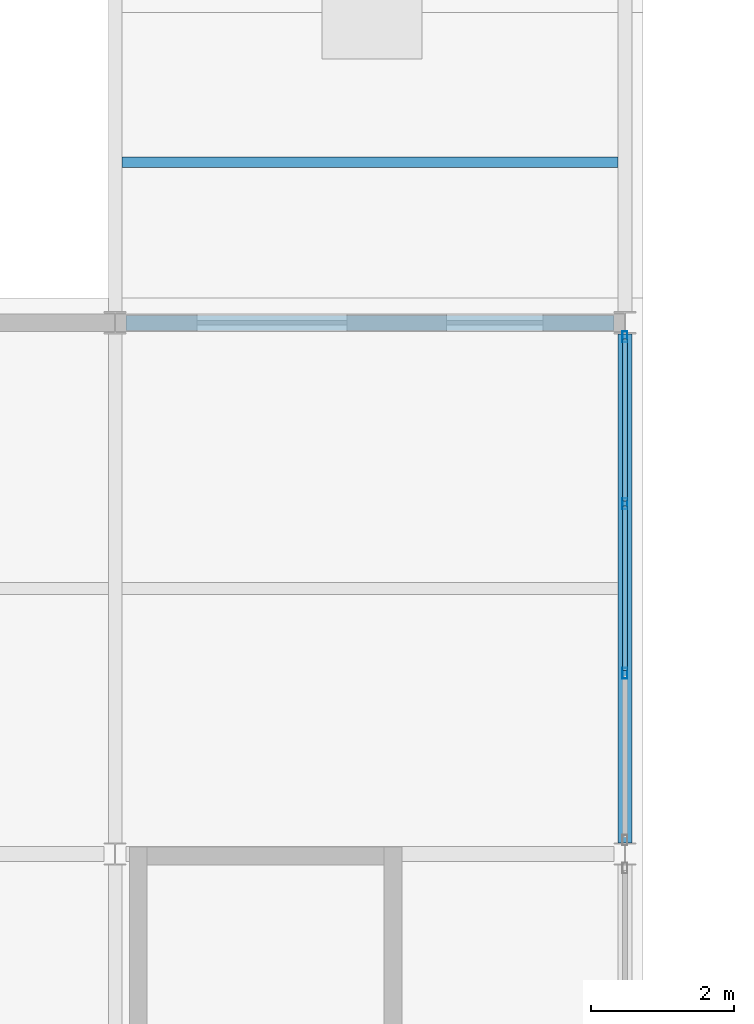
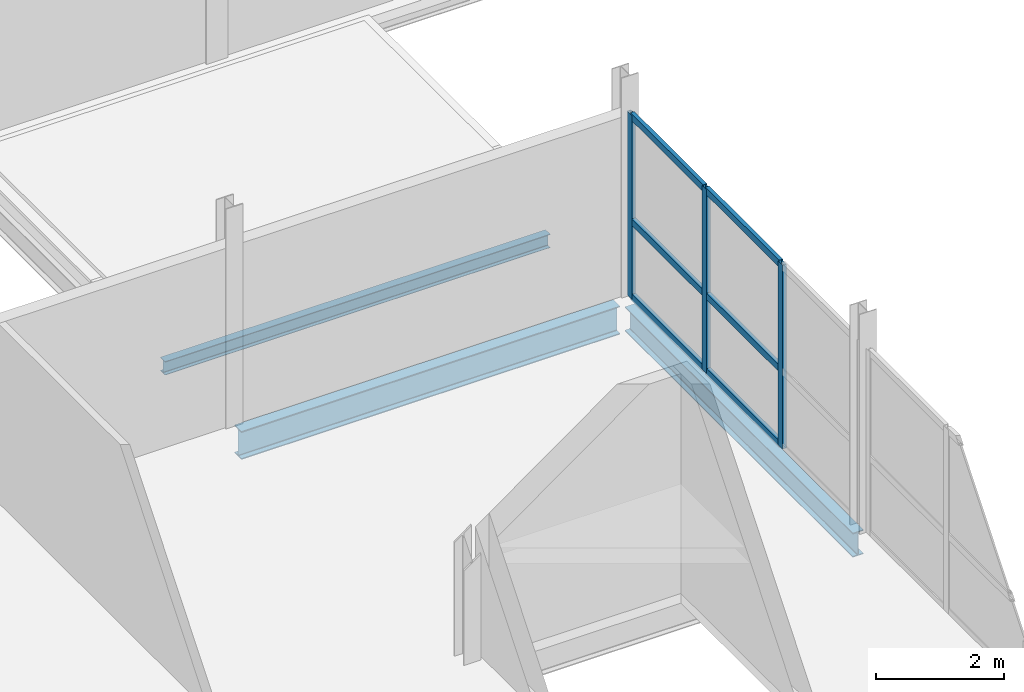
# One storey, part 13 of 65: 9 members, 3 beams, 1 element without a shape of its own.
"""IFC4 building model written with IfcOpenShell, lengths in metres."""

from ifc_helpers import new_model, si_unit, direction, frame, origin, origin_2d, place, context, subcontext, project, spatial, hollow_rectangle, i_section, extrude, material, layer, layer_set, material_profile, profile_set, type_object, element, aggregate, save


model = new_model("IFC4")

# Units and contexts
model_context = context("Model", 3, precision=1e-05, world=origin(), true_north=direction((0.0, 1.0)))
body_context = subcontext(model_context, "Body", "Model", "MODEL_VIEW")
ifc_project = project(units=[si_unit("LENGTHUNIT", "METRE"), si_unit("AREAUNIT", "SQUARE_METRE"), si_unit("VOLUMEUNIT", "CUBIC_METRE"), si_unit("PLANEANGLEUNIT", "RADIAN"), si_unit("MASSUNIT", "GRAM", prefix="KILO")], contexts=[model_context])

# Site, building, storey
site_placement = place(None, origin())
site = spatial("IfcSite", under=ifc_project, at=site_placement, CompositionType="ELEMENT")
building_placement = place(site_placement, origin())
building = spatial("IfcBuilding", under=site, at=building_placement, Name="Quillay Park Conservatory", CompositionType="ELEMENT")
storey_placement = place(building_placement, frame((0.0, 0.0, 14.10009765625)))
storey = spatial("IfcBuildingStorey", under=building, at=storey_placement, Name="L03", CompositionType="ELEMENT", Elevation=14.10009765625)

# Beam
ifc_material_1 = material(Name="Steel ASTM A992 Grade 50", Category="steel")
ifc_material_profile_1 = material_profile(ifc_material_1, i_section(OverallWidth=0.14599609375, OverallDepth=0.258056640625, WebThickness=0.006103515625, FlangeThickness=0.009033203125, FilletRadius=0.009033203125, at=origin_2d()), Name="W250x33")
ifc_profile_set_1 = profile_set([ifc_material_profile_1], Name="Steel ASTM A992 Grade 50")
beam_type_1 = type_object("IfcBeamType", Name="COMPOSITE FLOOR JOIST W250 X33", PredefinedType="JOIST", material=ifc_profile_set_1)
beam_1_placement = place(storey_placement, frame((15.095947265625, 56.5, -0.343994140625), z_axis=(1.0, 0.0, 0.0), x_axis=(0.0, 1.0, 0.0)))
element("IfcBeam", 1, at=beam_1_placement, inside=storey, type_object=beam_type_1, Name="L03 beam BM-LB1J-1587", PredefinedType="JOIST", context=body_context, shape_type="SweptSolid", body=[
    extrude(i_section(OverallWidth=0.14599609375, OverallDepth=0.258056640625, WebThickness=0.006103515625, FlangeThickness=0.009033203125, FilletRadius=0.009033203125, at=origin_2d()), origin(), (0.0, 0.0, 1.0), 6.9580078125),
])

# Curtain wall, members
ifc_material_2 = material(Name="Thermally Broken Anodised Aluminium 6063-T6", Category="aluminium")
ifc_layer = layer(ifc_material_2, 0.1650390625)
ifc_layer_set = layer_set([ifc_layer], Name="UNITISED CURTAIN WALL PODIUM (Thermally Broken Anodised Aluminium 6063-T6)")
curtain_wall_type = type_object("IfcCurtainWallType", Name="UNITISED CURTAIN WALL PODIUM", PredefinedType="USERDEFINED", material=ifc_layer_set)
curtain_wall_placement = place(storey_placement, origin())
curtain_wall = element("IfcCurtainWall", 2, at=curtain_wall_placement, inside=storey, type_object=curtain_wall_type, Name="L03 Unitised Curtain Wall 214", ObjectType="UNITISED CURTAIN WALL", PredefinedType="USERDEFINED")
ifc_material_3 = material(Name="Thermally Broken Anodised Aluminium 6063-T6", Category="aluminium")
ifc_material_profile_2 = material_profile(ifc_material_3, hollow_rectangle(XDim=0.070068359375, YDim=0.14990234375, WallThickness=0.00341796875, at=origin_2d()), Name="AL70x150x3.5")
ifc_profile_set_2 = profile_set([ifc_material_profile_2], Name="Thermally Broken Anodised Aluminium 6063-T6")
member_type_1 = type_object("IfcMemberType", Name="CURTAIN WALL MULLION 70 X150", PredefinedType="MULLION", material=ifc_profile_set_2)
member_1_placement = place(storey_placement, frame((22.14990234375, 54.054931640625, 0.0), z_axis=(0.0, 0.0, 1.0), x_axis=(1.0, 0.0, 0.0)))
member_1 = element("IfcMember", 3, at=member_1_placement, type_object=member_type_1, Name="CW-P1 mullion 1", PredefinedType="MULLION", context=body_context, shape_type="SweptSolid", body=[
    extrude(hollow_rectangle(XDim=0.070068359375, YDim=0.14990234375, WallThickness=0.00341796875, at=origin_2d()), origin(), (0.0, 0.0, 1.0), 3.513916015625),
])
member_2_placement = place(storey_placement, frame((22.14990234375, 51.71337890625, 0.0), z_axis=(0.0, 0.0, 1.0), x_axis=(1.0, 0.0, 0.0)))
member_2 = element("IfcMember", 4, at=member_2_placement, type_object=member_type_1, Name="CW-P1 mullion 2", PredefinedType="MULLION", context=body_context, shape_type="SweptSolid", body=[
    extrude(hollow_rectangle(XDim=0.070068359375, YDim=0.14990234375, WallThickness=0.00341796875, at=origin_2d()), origin(), (0.0, 0.0, 1.0), 3.513916015625),
])
member_3_placement = place(storey_placement, frame((22.14990234375, 49.336669921875, 0.0), z_axis=(0.0, 0.0, 1.0), x_axis=(1.0, 0.0, 0.0)))
member_3 = element("IfcMember", 5, at=member_3_placement, type_object=member_type_1, Name="CW-P1 mullion 3", PredefinedType="MULLION", context=body_context, shape_type="SweptSolid", body=[
    extrude(hollow_rectangle(XDim=0.070068359375, YDim=0.14990234375, WallThickness=0.00341796875, at=origin_2d()), origin(), (0.0, 0.0, 1.0), 3.513916015625),
])
ifc_material_4 = material(Name="Thermally Broken Anodised Aluminium 6063-T6", Category="aluminium")
ifc_material_profile_3 = material_profile(ifc_material_4, hollow_rectangle(XDim=0.070068359375, YDim=0.1298828125, WallThickness=0.003173828125, at=origin_2d()), Name="AL70x130x3.2")
ifc_profile_set_3 = profile_set([ifc_material_profile_3], Name="Thermally Broken Anodised Aluminium 6063-T6")
member_type_2 = type_object("IfcMemberType", Name="CURTAIN WALL TRANSOM 70 X130", PredefinedType="USERDEFINED", material=ifc_profile_set_3)
member_4_placement = place(storey_placement, frame((22.14990234375, 54.02001953125, 0.034912109375), z_axis=(0.0, -1.0, 0.0), x_axis=(1.0, 0.0, 0.0)))
member_4 = element("IfcMember", 6, at=member_4_placement, type_object=member_type_2, Name="CW-P1 transom 1.1", ObjectType="TRANSOM", PredefinedType="USERDEFINED", context=body_context, shape_type="SweptSolid", body=[
    extrude(hollow_rectangle(XDim=0.070068359375, YDim=0.1298828125, WallThickness=0.003173828125, at=origin_2d()), origin(), (0.0, 0.0, 1.0), 2.271728515625),
])
member_5_placement = place(storey_placement, frame((22.14990234375, 54.02001953125, 1.475830078125), z_axis=(0.0, -1.0, 0.0), x_axis=(1.0, 0.0, 0.0)))
member_5 = element("IfcMember", 7, at=member_5_placement, type_object=member_type_2, Name="CW-P1 transom 1.2", ObjectType="TRANSOM", PredefinedType="USERDEFINED", context=body_context, shape_type="SweptSolid", body=[
    extrude(hollow_rectangle(XDim=0.070068359375, YDim=0.1298828125, WallThickness=0.003173828125, at=origin_2d()), origin(), (0.0, 0.0, 1.0), 2.271728515625),
])
member_6_placement = place(storey_placement, frame((22.14990234375, 54.02001953125, 3.47900390625), z_axis=(0.0, -1.0, 0.0), x_axis=(1.0, 0.0, 0.0)))
member_6 = element("IfcMember", 8, at=member_6_placement, type_object=member_type_2, Name="CW-P1 transom 1.3", ObjectType="TRANSOM", PredefinedType="USERDEFINED", context=body_context, shape_type="SweptSolid", body=[
    extrude(hollow_rectangle(XDim=0.070068359375, YDim=0.1298828125, WallThickness=0.003173828125, at=origin_2d()), origin(), (0.0, 0.0, 1.0), 2.271728515625),
])
member_7_placement = place(storey_placement, frame((22.14990234375, 51.67822265625, 0.034912109375), z_axis=(0.0, -1.0, 0.0), x_axis=(1.0, 0.0, 0.0)))
member_7 = element("IfcMember", 9, at=member_7_placement, type_object=member_type_2, Name="CW-P1 transom 2.1", ObjectType="TRANSOM", PredefinedType="USERDEFINED", context=body_context, shape_type="SweptSolid", body=[
    extrude(hollow_rectangle(XDim=0.070068359375, YDim=0.1298828125, WallThickness=0.003173828125, at=origin_2d()), origin(), (0.0, 0.0, 1.0), 2.306640625),
])
member_8_placement = place(storey_placement, frame((22.14990234375, 51.67822265625, 1.475830078125), z_axis=(0.0, -1.0, 0.0), x_axis=(1.0, 0.0, 0.0)))
member_8 = element("IfcMember", 10, at=member_8_placement, type_object=member_type_2, Name="CW-P1 transom 2.2", ObjectType="TRANSOM", PredefinedType="USERDEFINED", context=body_context, shape_type="SweptSolid", body=[
    extrude(hollow_rectangle(XDim=0.070068359375, YDim=0.1298828125, WallThickness=0.003173828125, at=origin_2d()), origin(), (0.0, 0.0, 1.0), 2.306640625),
])
member_9_placement = place(storey_placement, frame((22.14990234375, 51.67822265625, 3.47900390625), z_axis=(0.0, -1.0, 0.0), x_axis=(1.0, 0.0, 0.0)))
member_9 = element("IfcMember", 11, at=member_9_placement, type_object=member_type_2, Name="CW-P1 transom 2.3", ObjectType="TRANSOM", PredefinedType="USERDEFINED", context=body_context, shape_type="SweptSolid", body=[
    extrude(hollow_rectangle(XDim=0.070068359375, YDim=0.1298828125, WallThickness=0.003173828125, at=origin_2d()), origin(), (0.0, 0.0, 1.0), 2.306640625),
])
aggregate(curtain_wall, [member_1, member_2, member_3, member_4, member_5, member_6, member_7, member_8, member_9])

# Beams
ifc_material_5 = material(Name="Steel ASTM A992 Grade 50", Category="steel")
ifc_material_profile_4 = material_profile(ifc_material_5, i_section(OverallWidth=0.19189453125, OverallDepth=0.462890625, WebThickness=0.010498046875, FlangeThickness=0.017578125, FilletRadius=0.012939453125, at=origin_2d()), Name="W460x89")
ifc_profile_set_4 = profile_set([ifc_material_profile_4], Name="Steel ASTM A992 Grade 50")
beam_type_2 = type_object("IfcBeamType", Name="PRIMARY FLOOR GIRDER W460 X89", PredefinedType="BEAM", material=ifc_profile_set_4)
beam_2_placement = place(storey_placement, frame((22.14990234375, 46.95703125, -0.41650390625), z_axis=(0.0, 1.0, 0.0), x_axis=(-1.0, 0.0, 0.0)))
element("IfcBeam", 12, at=beam_2_placement, inside=storey, type_object=beam_type_2, Name="L03 beam BM-V3Y-1450", PredefinedType="BEAM", context=body_context, shape_type="SweptSolid", body=[
    extrude(i_section(OverallWidth=0.19189453125, OverallDepth=0.462890625, WebThickness=0.010498046875, FlangeThickness=0.017578125, FilletRadius=0.012939453125, at=origin_2d()), origin(), (0.0, 0.0, 1.0), 7.135986328125),
])
ifc_material_6 = material(Name="Steel ASTM A992 Grade 50", Category="steel")
ifc_material_profile_5 = material_profile(ifc_material_6, i_section(OverallWidth=0.2109375, OverallDepth=0.5390625, WebThickness=0.01171875, FlangeThickness=0.018798828125, FilletRadius=0.013916015625, at=origin_2d()), Name="W530x109")
ifc_profile_set_5 = profile_set([ifc_material_profile_5], Name="Steel ASTM A992 Grade 50")
beam_type_3 = type_object("IfcBeamType", Name="PRIMARY FLOOR GIRDER W530 X109", PredefinedType="BEAM", material=ifc_profile_set_5)
beam_3_placement = place(storey_placement, frame((15.153564453125, 54.25, -0.45458984375), z_axis=(1.0, 0.0, 0.0), x_axis=(0.0, 1.0, 0.0)))
element("IfcBeam", 13, at=beam_3_placement, inside=storey, type_object=beam_type_3, Name="L03 beam BM-V3X-1422", PredefinedType="BEAM", context=body_context, shape_type="SweptSolid", body=[
    extrude(i_section(OverallWidth=0.2109375, OverallDepth=0.5390625, WebThickness=0.01171875, FlangeThickness=0.018798828125, FilletRadius=0.013916015625, at=origin_2d()), origin(), (0.0, 0.0, 1.0), 6.843017578125),
])

save(model, "model.ifc")
